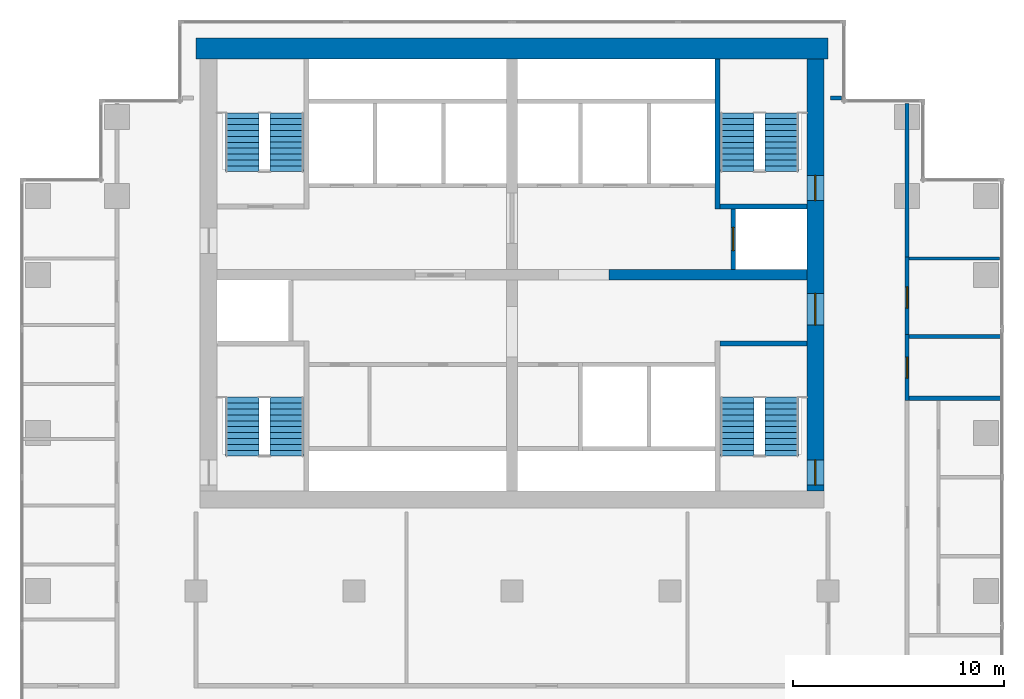
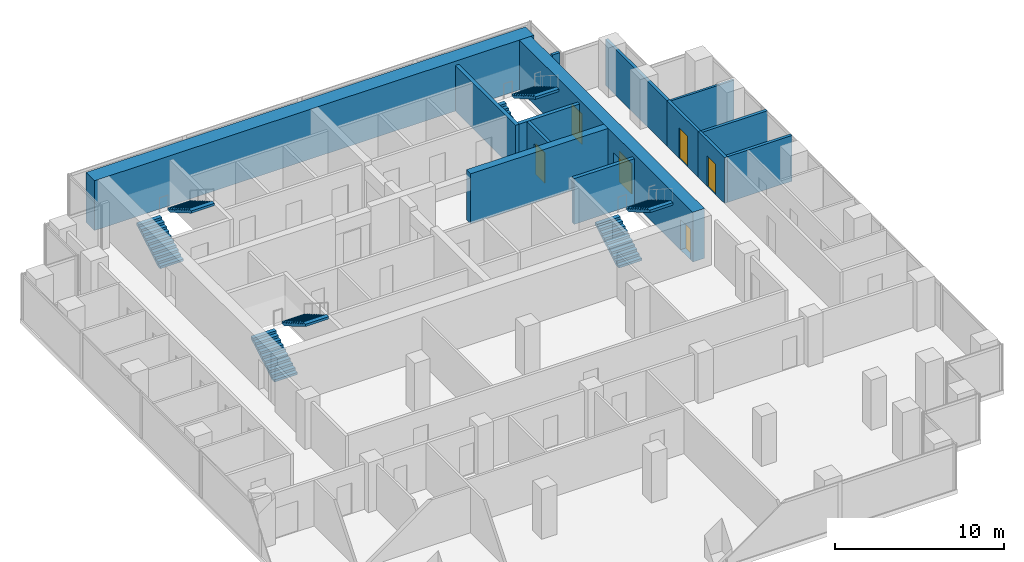
# One storey, part 9 of 10: 14 walls, 8 stair flights, 6 doors, 6 openings, 4 elements without a shape of their own.
"""IFC4 building model written with IfcOpenShell, lengths in metres."""

from ifc_helpers import new_model, si_unit, direction, frame, frame_2d, origin, place, context, subcontext, project, spatial, polyline, rectangle, outline, extrude, material, layer, layer_set, type_object, element, fill, aggregate, save


model = new_model("IFC4")

# Units and contexts
model_context = context("Model", 3, precision=1e-05, world=origin(), true_north=direction((0.0, 1.0)))
body_context = subcontext(model_context, "Body", "Model", "MODEL_VIEW")
ifc_project = project(units=[si_unit("LENGTHUNIT", "METRE"), si_unit("AREAUNIT", "SQUARE_METRE"), si_unit("VOLUMEUNIT", "CUBIC_METRE"), si_unit("PLANEANGLEUNIT", "RADIAN"), si_unit("MASSUNIT", "GRAM", prefix="KILO")], contexts=[model_context])

# Site, building, storey
site_placement = place(None, origin())
site = spatial("IfcSite", under=ifc_project, at=site_placement, CompositionType="ELEMENT")
building_placement = place(site_placement, origin())
building = spatial("IfcBuilding", under=site, at=building_placement, Name="Pilkhan Gate Tower", CompositionType="ELEMENT")
storey_placement = place(building_placement, frame((0.0, 0.0, 147.699951171875)))
storey = spatial("IfcBuildingStorey", under=building, at=storey_placement, Name="L37", CompositionType="ELEMENT", Elevation=147.699951171875)

# Wall
ifc_material_1 = material(Name="Concrete C60/75", Category="concrete")
ifc_layer_1 = layer(ifc_material_1, 1.0)
ifc_layer_set_1 = layer_set([ifc_layer_1], Name="Core wall CW1000 C60/75")
wall_type_1 = type_object("IfcWallType", Name="Core wall CW1000 C60/75", PredefinedType="SHEAR", material=ifc_layer_set_1)
wall_1_placement = place(storey_placement, frame((90.0, 93.25, 0.0), z_axis=(0.0, 0.0, 1.0), x_axis=(-1.0, 0.0, 0.0)))
element("IfcWall", 1, at=wall_1_placement, inside=storey, type_object=wall_type_1, Name="Core wall N L37", PredefinedType="SHEAR", context=body_context, shape_type="SweptSolid", body=[
    extrude(rectangle(XDim=30.0, YDim=1.0, at=frame_2d((15.0, 0.0))), origin(), (0.0, 0.0, 1.0), 3.60009765625),
])

# Wall, openings, doors
ifc_layer_2 = layer(ifc_material_1, 0.800048828125)
ifc_layer_set_2 = layer_set([ifc_layer_2], Name="Core wall CW800 C60/75")
wall_type_2 = type_object("IfcWallType", Name="Core wall CW800 C60/75", PredefinedType="SHEAR", material=ifc_layer_set_2)
wall_2_placement = place(storey_placement, frame((89.39990234375, 72.25, 0.0), z_axis=(0.0, 0.0, 1.0), x_axis=(0.0, 1.0, 0.0)))
wall_2 = element("IfcWall", 2, at=wall_2_placement, inside=storey, type_object=wall_type_2, Name="Core wall E L37", PredefinedType="SHEAR", context=body_context, shape_type="SweptSolid", body=[
    extrude(rectangle(XDim=20.5, YDim=0.800048828125, at=frame_2d((10.25, 0.0))), origin(), (0.0, 0.0, 1.0), 3.60009765625),
])
opening_1_placement = place(wall_2_placement, frame((0.27490234375, 0.0, 0.0)))
opening_1 = element("IfcOpeningElement", 3, at=opening_1_placement, cuts=wall_2, Name="Opening L37-03", PredefinedType="OPENING", context=body_context, shape_type="SweptSolid", body=[
    extrude(rectangle(XDim=1.199951171875, YDim=2.199951171875, at=frame_2d((0.60009765625, 1.10009765625))), frame((0.0, 0.409912109375, 0.0), z_axis=(0.0, -1.0, 0.0), x_axis=(1.0, 0.0, 0.0)), (0.0, 0.0, 1.0), 0.820068359375),
])
opening_2_placement = place(wall_2_placement, frame((13.77490234375, 0.0, 0.0)))
opening_2 = element("IfcOpeningElement", 4, at=opening_2_placement, cuts=wall_2, Name="Opening L37-05", PredefinedType="OPENING", context=body_context, shape_type="SweptSolid", body=[
    extrude(rectangle(XDim=1.199951171875, YDim=2.199951171875, at=frame_2d((0.60009765625, 1.10009765625))), frame((0.0, 0.409912109375, 0.0), z_axis=(0.0, -1.0, 0.0), x_axis=(1.0, 0.0, 0.0)), (0.0, 0.0, 1.0), 0.820068359375),
])
opening_3_placement = place(wall_2_placement, frame((7.875, 0.0, 0.0)))
opening_3 = element("IfcOpeningElement", 5, at=opening_3_placement, cuts=wall_2, Name="Opening L37-12", PredefinedType="OPENING", context=body_context, shape_type="SweptSolid", body=[
    extrude(rectangle(XDim=1.5, YDim=2.199951171875, at=frame_2d((0.75, 1.10009765625))), frame((0.0, 0.409912109375, 0.0), z_axis=(0.0, -1.0, 0.0), x_axis=(1.0, 0.0, 0.0)), (0.0, 0.0, 1.0), 0.820068359375),
])
ifc_material_2 = material(Name="Steel framed glazed door, 60 minute fire resisting", Category="steel")
door_type_1 = type_object("IfcDoorType", Name="Lobby door D09 1500x2200", OperationType="DOUBLE_DOOR_SINGLE_SWING", PredefinedType="DOOR", material=ifc_material_2)
door_1_placement = place(opening_3_placement, origin())
door_1 = element("IfcDoor", 6, at=door_1_placement, inside=storey, type_object=door_type_1, Name="Core door", OperationType="DOUBLE_DOOR_SINGLE_SWING", OverallHeight=2.199951171875, OverallWidth=1.5, PredefinedType="DOOR", context=body_context, shape_type="SweptSolid", body=[
    extrude(rectangle(XDim=1.5, YDim=2.199951171875, at=frame_2d((0.75, 1.10009765625))), frame((0.0, 0.02490234375, 0.0), z_axis=(0.0, -1.0, 0.0), x_axis=(1.0, 0.0, 0.0)), (0.0, 0.0, 1.0), 0.050048828125),
])
fill(opening_3, door_1)
ifc_material_3 = material(Name="Steel door, 120 minute fire resisting, panic bar", Category="steel")
door_type_2 = type_object("IfcDoorType", Name="Stair door D11 1200x2200", OperationType="SINGLE_SWING_LEFT", PredefinedType="DOOR", material=ifc_material_3)
door_2_placement = place(opening_1_placement, origin())
door_2 = element("IfcDoor", 7, at=door_2_placement, inside=storey, type_object=door_type_2, Name="Stair ST1 door", OperationType="SINGLE_SWING_LEFT", OverallHeight=2.199951171875, OverallWidth=1.199951171875, PredefinedType="DOOR", context=body_context, shape_type="SweptSolid", body=[
    extrude(rectangle(XDim=1.199951171875, YDim=2.199951171875, at=frame_2d((0.60009765625, 1.10009765625))), frame((0.0, 0.02490234375, 0.0), z_axis=(0.0, -1.0, 0.0), x_axis=(1.0, 0.0, 0.0)), (0.0, 0.0, 1.0), 0.050048828125),
])
fill(opening_1, door_2)
door_3_placement = place(opening_2_placement, origin())
door_3 = element("IfcDoor", 8, at=door_3_placement, inside=storey, type_object=door_type_2, Name="Stair ST4 door", OperationType="SINGLE_SWING_LEFT", OverallHeight=2.199951171875, OverallWidth=1.199951171875, PredefinedType="DOOR", context=body_context, shape_type="SweptSolid", body=[
    extrude(rectangle(XDim=1.199951171875, YDim=2.199951171875, at=frame_2d((0.60009765625, 1.10009765625))), frame((0.0, 0.02490234375, 0.0), z_axis=(0.0, -1.0, 0.0), x_axis=(1.0, 0.0, 0.0)), (0.0, 0.0, 1.0), 0.050048828125),
])
fill(opening_2, door_3)

# Wall
ifc_material_4 = material(Name="Dense blockwork", Category="masonry")
ifc_layer_3 = layer(ifc_material_4, 0.199951171875)
ifc_layer_set_3 = layer_set([ifc_layer_3], Name="Corridor wall FW200")
wall_type_3 = type_object("IfcWallType", Name="Corridor wall FW200", PredefinedType="PARTITIONING", material=ifc_layer_set_3)
wall_3_placement = place(storey_placement, frame((90.1201171875, 90.89990234375, 0.0), z_axis=(0.0, 0.0, 1.0), x_axis=(1.0, 0.0, 0.0)))
element("IfcWall", 9, at=wall_3_placement, inside=storey, type_object=wall_type_3, Name="Partition L37", PredefinedType="PARTITIONING", context=body_context, shape_type="SweptSolid", body=[
    extrude(rectangle(XDim=0.52490234375, YDim=0.199951171875, at=frame_2d((0.262451171875, 0.0))), origin(), (0.0, 0.0, 1.0), 3.300048828125),
])

# Wall, opening, door
wall_4_placement = place(storey_placement, frame((93.75, 79.580078125, 0.0), z_axis=(0.0, 0.0, 1.0), x_axis=(0.0, 1.0, 0.0)))
wall_4 = element("IfcWall", 10, at=wall_4_placement, inside=storey, type_object=wall_type_3, Name="Partition L37", PredefinedType="PARTITIONING", context=body_context, shape_type="SweptSolid", body=[
    extrude(rectangle(XDim=3.77490234375, YDim=0.199951171875, at=frame_2d((1.887451171875, 0.0))), origin(), (0.0, 0.0, 1.0), 3.300048828125),
])
opening_4_placement = place(wall_4_placement, frame((1.35009765625, 0.0, 0.0)))
opening_4 = element("IfcOpeningElement", 11, at=opening_4_placement, cuts=wall_4, Name="Opening L37-33", PredefinedType="OPENING", context=body_context, shape_type="SweptSolid", body=[
    extrude(rectangle(XDim=1.0, YDim=2.199951171875, at=frame_2d((0.5, 1.10009765625))), frame((0.0, 0.10986328125, 0.0), z_axis=(0.0, -1.0, 0.0), x_axis=(1.0, 0.0, 0.0)), (0.0, 0.0, 1.0), 0.219970703125),
])
ifc_material_5 = material(Name="Timber flush door, 30 minute fire resisting", Category="wood")
door_type_3 = type_object("IfcDoorType", Name="Room door D03 1000x2200", OperationType="SINGLE_SWING_LEFT", PredefinedType="DOOR", material=ifc_material_5)
door_4_placement = place(opening_4_placement, origin())
door_4 = element("IfcDoor", 12, at=door_4_placement, inside=storey, type_object=door_type_3, Name="Room door", OperationType="SINGLE_SWING_RIGHT", OverallHeight=2.199951171875, OverallWidth=1.0, PredefinedType="DOOR", context=body_context, shape_type="SweptSolid", body=[
    extrude(rectangle(XDim=1.0, YDim=2.199951171875, at=frame_2d((0.5, 1.10009765625))), frame((0.0, 0.02490234375, 0.0), z_axis=(0.0, -1.0, 0.0), x_axis=(1.0, 0.0, 0.0)), (0.0, 0.0, 1.0), 0.050048828125),
])
fill(opening_4, door_4)

# Walls
wall_5_placement = place(storey_placement, frame((93.75, 83.31005859375, 0.0), z_axis=(0.0, 0.0, 1.0), x_axis=(0.0, 1.0, 0.0)))
element("IfcWall", 13, at=wall_5_placement, inside=storey, type_object=wall_type_3, Name="Partition L37", PredefinedType="PARTITIONING", context=body_context, shape_type="SweptSolid", body=[
    extrude(rectangle(XDim=7.3349609375, YDim=0.199951171875, at=frame_2d((3.66748046875, 0.0))), origin(), (0.0, 0.0, 1.0), 3.300048828125),
])
ifc_layer_4 = layer(ifc_material_4, 0.199951171875)
ifc_layer_set_4 = layer_set([ifc_layer_4], Name="Lobby wall LW200")
wall_type_4 = type_object("IfcWallType", Name="Lobby wall LW200", PredefinedType="PARTITIONING", material=ifc_layer_set_4)
for number, where, z_axis, x_axis, name in (
    (14, (93.85009765625, 76.64990234375, 0.0), (0.0, 0.0, 1.0), (1.0, 0.0, 0.0), "Partition L37"),
    (15, (93.85009765625, 79.580078125, 0.0), (0.0, 0.0, 1.0), (1.0, 0.0, 0.0), "Partition L37"),
):
    element("IfcWall", number, at=place(storey_placement, frame(where, z_axis=z_axis, x_axis=x_axis)), inside=storey, type_object=wall_type_4, Name=name, PredefinedType="PARTITIONING", context=body_context, shape_type="SweptSolid", body=[
        extrude(rectangle(XDim=4.414794921875, YDim=0.199951171875, at=frame_2d((2.20751953125, 0.0))), origin(), (0.0, 0.0, 1.0), 3.300048828125),
    ])

# Wall, opening, door
wall_6_placement = place(storey_placement, frame((93.75, 76.550048828125, 0.0), z_axis=(0.0, 0.0, 1.0), x_axis=(0.0, 1.0, 0.0)))
wall_6 = element("IfcWall", 16, at=wall_6_placement, inside=storey, type_object=wall_type_4, Name="Partition L37", PredefinedType="PARTITIONING", context=body_context, shape_type="SweptSolid", body=[
    extrude(rectangle(XDim=3.1298828125, YDim=0.199951171875, at=frame_2d((1.56494140625, 0.0))), origin(), (0.0, 0.0, 1.0), 3.300048828125),
])
opening_5_placement = place(wall_6_placement, frame((1.050048828125, 0.0, 0.0)))
opening_5 = element("IfcOpeningElement", 17, at=opening_5_placement, cuts=wall_6, Name="Opening L37-11", PredefinedType="OPENING", context=body_context, shape_type="SweptSolid", body=[
    extrude(rectangle(XDim=1.0, YDim=2.199951171875, at=frame_2d((0.5, 1.10009765625))), frame((0.0, 0.10986328125, 0.0), z_axis=(0.0, -1.0, 0.0), x_axis=(1.0, 0.0, 0.0)), (0.0, 0.0, 1.0), 0.219970703125),
])
door_5_placement = place(opening_5_placement, origin())
door_5 = element("IfcDoor", 18, at=door_5_placement, inside=storey, type_object=door_type_3, Name="Room door", OperationType="SINGLE_SWING_LEFT", OverallHeight=2.199951171875, OverallWidth=1.0, PredefinedType="DOOR", context=body_context, shape_type="SweptSolid", body=[
    extrude(rectangle(XDim=1.0, YDim=2.199951171875, at=frame_2d((0.5, 1.10009765625))), frame((0.0, 0.02490234375, 0.0), z_axis=(0.0, -1.0, 0.0), x_axis=(1.0, 0.0, 0.0)), (0.0, 0.0, 1.0), 0.050048828125),
])
fill(opening_5, door_5)

# Wall
ifc_material_6 = material(Name="Blockwork partition, plastered both sides", Category="masonry")
ifc_layer_5 = layer(ifc_material_6, 0.14990234375)
ifc_layer_set_5 = layer_set([ifc_layer_5], Name="Partition PW150")
wall_type_5 = type_object("IfcWallType", Name="Partition PW150", PredefinedType="PARTITIONING", material=ifc_layer_set_5)
wall_7_placement = place(storey_placement, frame((93.85009765625, 83.280029296875, 0.0), z_axis=(0.0, 0.0, 1.0), x_axis=(1.0, 0.0, 0.0)))
element("IfcWall", 19, at=wall_7_placement, inside=storey, type_object=wall_type_5, Name="Partition L37", PredefinedType="PARTITIONING", context=body_context, shape_type="SweptSolid", body=[
    extrude(rectangle(XDim=4.294921875, YDim=0.14990234375, at=frame_2d((2.1474609375, 0.0))), origin(), (0.0, 0.0, 1.0), 3.300048828125),
])

# Wall, opening, door
ifc_material_7 = material(Name="Reinforced blockwork shaft wall, 120 minute fire resisting", Category="masonry")
ifc_layer_6 = layer(ifc_material_7, 0.199951171875)
ifc_layer_set_6 = layer_set([ifc_layer_6], Name="Shaft wall SW200")
wall_type_6 = type_object("IfcWallType", Name="Shaft wall SW200", PredefinedType="PARTITIONING", material=ifc_layer_set_6)
wall_8_placement = place(storey_placement, frame((85.5, 82.760009765625, 0.0), z_axis=(0.0, 0.0, 1.0), x_axis=(0.0, 1.0, 0.0)))
wall_8 = element("IfcWall", 20, at=wall_8_placement, inside=storey, type_object=wall_type_6, Name="Partition L37", PredefinedType="PARTITIONING", context=body_context, shape_type="SweptSolid", body=[
    extrude(rectangle(XDim=2.864990234375, YDim=0.199951171875, at=frame_2d((1.4326171875, 0.0))), origin(), (0.0, 0.0, 1.0), 3.300048828125),
])
opening_6_placement = place(wall_8_placement, frame((0.89990234375, 0.0, 0.0)))
opening_6 = element("IfcOpeningElement", 21, at=opening_6_placement, cuts=wall_8, Name="Opening LD", PredefinedType="OPENING", context=body_context, shape_type="SweptSolid", body=[
    extrude(rectangle(XDim=1.10009765625, YDim=2.199951171875, at=frame_2d((0.550048828125, 1.10009765625))), frame((0.0, 0.10986328125, 0.0), z_axis=(0.0, -1.0, 0.0), x_axis=(1.0, 0.0, 0.0)), (0.0, 0.0, 1.0), 0.219970703125),
])
ifc_material_8 = material(Name="Stainless steel centre-opening landing door, 120 minute fire resisting", Category="steel")
door_type_4 = type_object("IfcDoorType", Name="Lift landing door LD 1100x2200", OperationType="DOUBLE_DOOR_SLIDING", PredefinedType="DOOR", material=ifc_material_8)
door_6_placement = place(opening_6_placement, origin())
door_6 = element("IfcDoor", 22, at=door_6_placement, inside=storey, type_object=door_type_4, Name="Landing door HR4", OperationType="DOUBLE_DOOR_SLIDING", OverallHeight=2.199951171875, OverallWidth=1.10009765625, PredefinedType="DOOR", context=body_context, shape_type="SweptSolid", body=[
    extrude(rectangle(XDim=1.10009765625, YDim=2.199951171875, at=frame_2d((0.550048828125, 1.10009765625))), frame((0.0, 0.02490234375, 0.0), z_axis=(0.0, -1.0, 0.0), x_axis=(1.0, 0.0, 0.0)), (0.0, 0.0, 1.0), 0.050048828125),
])
fill(opening_6, door_6)

# Walls
ifc_layer_7 = layer(ifc_material_1, 0.5)
ifc_layer_set_7 = layer_set([ifc_layer_7], Name="Spine wall SW500 C60/75")
wall_type_7 = type_object("IfcWallType", Name="Spine wall SW500 C60/75", PredefinedType="SHEAR", material=ifc_layer_set_7)
wall_9_placement = place(storey_placement, frame((79.60009765625, 82.5, 0.0), z_axis=(0.0, 0.0, 1.0), x_axis=(1.0, 0.0, 0.0)))
element("IfcWall", 23, at=wall_9_placement, inside=storey, type_object=wall_type_7, Name="Spine wall SP-EW3 L37", PredefinedType="SHEAR", context=body_context, shape_type="SweptSolid", body=[
    extrude(rectangle(XDim=9.39990234375, YDim=0.5, at=frame_2d((4.699951171875, 0.0))), origin(), (0.0, 0.0, 1.0), 3.60009765625),
])
ifc_material_9 = material(Name="Reinforced blockwork, 120 minute fire resisting", Category="masonry")
ifc_layer_8 = layer(ifc_material_9, 0.25)
ifc_layer_set_8 = layer_set([ifc_layer_8], Name="Stair enclosure wall SE250")
wall_type_8 = type_object("IfcWallType", Name="Stair enclosure wall SE250", PredefinedType="PARTITIONING", material=ifc_layer_set_8)
for number, where, z_axis, x_axis, name in (
    (24, (84.875, 79.25, 0.0), (0.0, 0.0, 1.0), (1.0, 0.0, 0.0), "Partition L37"),
    (25, (84.875, 85.75, 0.0), (0.0, 0.0, 1.0), (1.0, 0.0, 0.0), "Partition L37"),
):
    element("IfcWall", number, at=place(storey_placement, frame(where, z_axis=z_axis, x_axis=x_axis)), inside=storey, type_object=wall_type_8, Name=name, PredefinedType="PARTITIONING", context=body_context, shape_type="SweptSolid", body=[
        extrude(rectangle(XDim=4.125, YDim=0.25, at=frame_2d((2.0625, 0.0))), origin(), (0.0, 0.0, 1.0), 3.300048828125),
    ])
wall_10_placement = place(storey_placement, frame((84.75, 85.625, 0.0), z_axis=(0.0, 0.0, 1.0), x_axis=(0.0, 1.0, 0.0)))
element("IfcWall", 26, at=wall_10_placement, inside=storey, type_object=wall_type_8, Name="Partition L37", PredefinedType="PARTITIONING", context=body_context, shape_type="SweptSolid", body=[
    extrude(rectangle(XDim=7.114990234375, YDim=0.25, at=frame_2d((3.5576171875, 0.0))), origin(), (0.0, 0.0, 1.0), 3.300048828125),
])

# Stair, stair flights
ifc_material_10 = material(Name="Concrete C40/50 precast", Category="concrete")
stair_type_1 = type_object("IfcStairType", Name="Stair ST1 164x280", PredefinedType="HALF_TURN_STAIR", material=ifc_material_10)
stair_1_placement = place(storey_placement, origin())
stair_1 = element("IfcStair", 27, at=stair_1_placement, inside=storey, type_object=stair_type_1, Name="Stair ST1 L37", PredefinedType="HALF_TURN_STAIR")
stair_flight_type_1 = type_object("IfcStairFlightType", Name="Stair flight ST1 164x280x11", PredefinedType="STRAIGHT", material=ifc_material_10)
stair_flight_1_placement = place(storey_placement, frame((85.68994140625, 73.89990234375, 0.0), z_axis=(0.0, 0.0, 1.0), x_axis=(0.0, 1.0, 0.0)))
stair_flight_1 = element("IfcStairFlight", 28, at=stair_flight_1_placement, type_object=stair_flight_type_1, Name="ST1 flight 1", NumberOfRisers=11, NumberOfTreads=10, PredefinedType="STRAIGHT", RiserHeight=0.163636364, TreadLength=0.28, context=body_context, shape_type="SweptSolid", body=[
    extrude(outline(polyline([(0.0, 0.0), (0.0, 0.16357421875), (0.280029296875, 0.16357421875), (0.280029296875, 0.327392578125), (0.56005859375, 0.327392578125), (0.56005859375, 0.490966796875), (0.840087890625, 0.490966796875), (0.840087890625, 0.654541015625), (1.1201171875, 0.654541015625), (1.1201171875, 0.818115234375), (1.39990234375, 0.818115234375), (1.39990234375, 0.98193359375), (1.679931640625, 0.98193359375), (1.679931640625, 1.1455078125), (1.9599609375, 1.1455078125), (1.9599609375, 1.30908203125), (2.239990234375, 1.30908203125), (2.239990234375, 1.47265625), (2.52001953125, 1.47265625), (2.52001953125, 1.636474609375), (2.800048828125, 1.636474609375), (2.800048828125, 1.800048828125), (2.800048828125, 1.462646484375), (0.297119140625, 0.0), (0.0, 0.0)])), frame((0.0, 0.7900390625, 0.0), z_axis=(0.0, -1.0, 0.0), x_axis=(1.0, 0.0, 0.0)), (0.0, 0.0, 1.0), 1.580078125),
])
stair_flight_2_placement = place(storey_placement, frame((87.81005859375, 76.699951171875, 1.800048828125), z_axis=(0.0, 0.0, 1.0), x_axis=(0.0, -1.0, 0.0)))
stair_flight_2 = element("IfcStairFlight", 29, at=stair_flight_2_placement, type_object=stair_flight_type_1, Name="ST1 flight 2", NumberOfRisers=11, NumberOfTreads=10, PredefinedType="STRAIGHT", RiserHeight=0.163636364, TreadLength=0.28, context=body_context, shape_type="SweptSolid", body=[
    extrude(outline(polyline([(0.0, 0.0), (0.0, 0.16357421875), (0.280029296875, 0.16357421875), (0.280029296875, 0.327392578125), (0.56005859375, 0.327392578125), (0.56005859375, 0.490966796875), (0.840087890625, 0.490966796875), (0.840087890625, 0.654541015625), (1.1201171875, 0.654541015625), (1.1201171875, 0.818115234375), (1.39990234375, 0.818115234375), (1.39990234375, 0.98193359375), (1.679931640625, 0.98193359375), (1.679931640625, 1.1455078125), (1.9599609375, 1.1455078125), (1.9599609375, 1.30908203125), (2.239990234375, 1.30908203125), (2.239990234375, 1.47265625), (2.52001953125, 1.47265625), (2.52001953125, 1.636474609375), (2.800048828125, 1.636474609375), (2.800048828125, 1.800048828125), (2.800048828125, 1.462646484375), (0.297119140625, 0.0), (0.0, 0.0)])), frame((0.0, 0.7900390625, 0.0), z_axis=(0.0, -1.0, 0.0), x_axis=(1.0, 0.0, 0.0)), (0.0, 0.0, 1.0), 1.580078125),
])
aggregate(stair_1, [stair_flight_1, stair_flight_2])

stair_type_2 = type_object("IfcStairType", Name="Stair ST2 164x280", PredefinedType="HALF_TURN_STAIR", material=ifc_material_10)
stair_2_placement = place(storey_placement, origin())
stair_2 = element("IfcStair", 30, at=stair_2_placement, inside=storey, type_object=stair_type_2, Name="Stair ST2 L37", PredefinedType="HALF_TURN_STAIR")
stair_flight_type_2 = type_object("IfcStairFlightType", Name="Stair flight ST2 164x280x11", PredefinedType="STRAIGHT", material=ifc_material_10)
stair_flight_3_placement = place(storey_placement, frame((62.18994140625, 73.89990234375, 0.0), z_axis=(0.0, 0.0, 1.0), x_axis=(0.0, 1.0, 0.0)))
stair_flight_3 = element("IfcStairFlight", 31, at=stair_flight_3_placement, type_object=stair_flight_type_2, Name="ST2 flight 1", NumberOfRisers=11, NumberOfTreads=10, PredefinedType="STRAIGHT", RiserHeight=0.163636364, TreadLength=0.28, context=body_context, shape_type="SweptSolid", body=[
    extrude(outline(polyline([(0.0, 0.0), (0.0, 0.16357421875), (0.280029296875, 0.16357421875), (0.280029296875, 0.327392578125), (0.56005859375, 0.327392578125), (0.56005859375, 0.490966796875), (0.840087890625, 0.490966796875), (0.840087890625, 0.654541015625), (1.1201171875, 0.654541015625), (1.1201171875, 0.818115234375), (1.39990234375, 0.818115234375), (1.39990234375, 0.98193359375), (1.679931640625, 0.98193359375), (1.679931640625, 1.1455078125), (1.9599609375, 1.1455078125), (1.9599609375, 1.30908203125), (2.239990234375, 1.30908203125), (2.239990234375, 1.47265625), (2.52001953125, 1.47265625), (2.52001953125, 1.636474609375), (2.800048828125, 1.636474609375), (2.800048828125, 1.800048828125), (2.800048828125, 1.462646484375), (0.297119140625, 0.0), (0.0, 0.0)])), frame((0.0, 0.7900390625, 0.0), z_axis=(0.0, -1.0, 0.0), x_axis=(1.0, 0.0, 0.0)), (0.0, 0.0, 1.0), 1.580078125),
])
stair_flight_4_placement = place(storey_placement, frame((64.31005859375, 76.699951171875, 1.800048828125), z_axis=(0.0, 0.0, 1.0), x_axis=(0.0, -1.0, 0.0)))
stair_flight_4 = element("IfcStairFlight", 32, at=stair_flight_4_placement, type_object=stair_flight_type_2, Name="ST2 flight 2", NumberOfRisers=11, NumberOfTreads=10, PredefinedType="STRAIGHT", RiserHeight=0.163636364, TreadLength=0.28, context=body_context, shape_type="SweptSolid", body=[
    extrude(outline(polyline([(0.0, 0.0), (0.0, 0.16357421875), (0.280029296875, 0.16357421875), (0.280029296875, 0.327392578125), (0.56005859375, 0.327392578125), (0.56005859375, 0.490966796875), (0.840087890625, 0.490966796875), (0.840087890625, 0.654541015625), (1.1201171875, 0.654541015625), (1.1201171875, 0.818115234375), (1.39990234375, 0.818115234375), (1.39990234375, 0.98193359375), (1.679931640625, 0.98193359375), (1.679931640625, 1.1455078125), (1.9599609375, 1.1455078125), (1.9599609375, 1.30908203125), (2.239990234375, 1.30908203125), (2.239990234375, 1.47265625), (2.52001953125, 1.47265625), (2.52001953125, 1.636474609375), (2.800048828125, 1.636474609375), (2.800048828125, 1.800048828125), (2.800048828125, 1.462646484375), (0.297119140625, 0.0), (0.0, 0.0)])), frame((0.0, 0.7900390625, 0.0), z_axis=(0.0, -1.0, 0.0), x_axis=(1.0, 0.0, 0.0)), (0.0, 0.0, 1.0), 1.580078125),
])
aggregate(stair_2, [stair_flight_3, stair_flight_4])

stair_type_3 = type_object("IfcStairType", Name="Stair ST3 164x280", PredefinedType="HALF_TURN_STAIR", material=ifc_material_10)
stair_3_placement = place(storey_placement, origin())
stair_3 = element("IfcStair", 33, at=stair_3_placement, inside=storey, type_object=stair_type_3, Name="Stair ST3 L37", PredefinedType="HALF_TURN_STAIR")
stair_flight_type_3 = type_object("IfcStairFlightType", Name="Stair flight ST3 164x280x11", PredefinedType="STRAIGHT", material=ifc_material_10)
stair_flight_5_placement = place(storey_placement, frame((62.18994140625, 87.39990234375, 0.0), z_axis=(0.0, 0.0, 1.0), x_axis=(0.0, 1.0, 0.0)))
stair_flight_5 = element("IfcStairFlight", 34, at=stair_flight_5_placement, type_object=stair_flight_type_3, Name="ST3 flight 1", NumberOfRisers=11, NumberOfTreads=10, PredefinedType="STRAIGHT", RiserHeight=0.163636364, TreadLength=0.28, context=body_context, shape_type="SweptSolid", body=[
    extrude(outline(polyline([(0.0, 0.0), (0.0, 0.16357421875), (0.280029296875, 0.16357421875), (0.280029296875, 0.327392578125), (0.56005859375, 0.327392578125), (0.56005859375, 0.490966796875), (0.840087890625, 0.490966796875), (0.840087890625, 0.654541015625), (1.1201171875, 0.654541015625), (1.1201171875, 0.818115234375), (1.39990234375, 0.818115234375), (1.39990234375, 0.98193359375), (1.679931640625, 0.98193359375), (1.679931640625, 1.1455078125), (1.9599609375, 1.1455078125), (1.9599609375, 1.30908203125), (2.239990234375, 1.30908203125), (2.239990234375, 1.47265625), (2.52001953125, 1.47265625), (2.52001953125, 1.636474609375), (2.800048828125, 1.636474609375), (2.800048828125, 1.800048828125), (2.800048828125, 1.462646484375), (0.297119140625, 0.0), (0.0, 0.0)])), frame((0.0, 0.7900390625, 0.0), z_axis=(0.0, -1.0, 0.0), x_axis=(1.0, 0.0, 0.0)), (0.0, 0.0, 1.0), 1.580078125),
])
stair_flight_6_placement = place(storey_placement, frame((64.31005859375, 90.199951171875, 1.800048828125), z_axis=(0.0, 0.0, 1.0), x_axis=(0.0, -1.0, 0.0)))
stair_flight_6 = element("IfcStairFlight", 35, at=stair_flight_6_placement, type_object=stair_flight_type_3, Name="ST3 flight 2", NumberOfRisers=11, NumberOfTreads=10, PredefinedType="STRAIGHT", RiserHeight=0.163636364, TreadLength=0.28, context=body_context, shape_type="SweptSolid", body=[
    extrude(outline(polyline([(0.0, 0.0), (0.0, 0.16357421875), (0.280029296875, 0.16357421875), (0.280029296875, 0.327392578125), (0.56005859375, 0.327392578125), (0.56005859375, 0.490966796875), (0.840087890625, 0.490966796875), (0.840087890625, 0.654541015625), (1.1201171875, 0.654541015625), (1.1201171875, 0.818115234375), (1.39990234375, 0.818115234375), (1.39990234375, 0.98193359375), (1.679931640625, 0.98193359375), (1.679931640625, 1.1455078125), (1.9599609375, 1.1455078125), (1.9599609375, 1.30908203125), (2.239990234375, 1.30908203125), (2.239990234375, 1.47265625), (2.52001953125, 1.47265625), (2.52001953125, 1.636474609375), (2.800048828125, 1.636474609375), (2.800048828125, 1.800048828125), (2.800048828125, 1.462646484375), (0.297119140625, 0.0), (0.0, 0.0)])), frame((0.0, 0.7900390625, 0.0), z_axis=(0.0, -1.0, 0.0), x_axis=(1.0, 0.0, 0.0)), (0.0, 0.0, 1.0), 1.580078125),
])
aggregate(stair_3, [stair_flight_5, stair_flight_6])

stair_type_4 = type_object("IfcStairType", Name="Stair ST4 164x280", PredefinedType="HALF_TURN_STAIR", material=ifc_material_10)
stair_4_placement = place(storey_placement, origin())
stair_4 = element("IfcStair", 36, at=stair_4_placement, inside=storey, type_object=stair_type_4, Name="Stair ST4 L37", PredefinedType="HALF_TURN_STAIR")
stair_flight_type_4 = type_object("IfcStairFlightType", Name="Stair flight ST4 164x280x11", PredefinedType="STRAIGHT", material=ifc_material_10)
stair_flight_7_placement = place(storey_placement, frame((85.68994140625, 87.39990234375, 0.0), z_axis=(0.0, 0.0, 1.0), x_axis=(0.0, 1.0, 0.0)))
stair_flight_7 = element("IfcStairFlight", 37, at=stair_flight_7_placement, type_object=stair_flight_type_4, Name="ST4 flight 1", NumberOfRisers=11, NumberOfTreads=10, PredefinedType="STRAIGHT", RiserHeight=0.163636364, TreadLength=0.28, context=body_context, shape_type="SweptSolid", body=[
    extrude(outline(polyline([(0.0, 0.0), (0.0, 0.16357421875), (0.280029296875, 0.16357421875), (0.280029296875, 0.327392578125), (0.56005859375, 0.327392578125), (0.56005859375, 0.490966796875), (0.840087890625, 0.490966796875), (0.840087890625, 0.654541015625), (1.1201171875, 0.654541015625), (1.1201171875, 0.818115234375), (1.39990234375, 0.818115234375), (1.39990234375, 0.98193359375), (1.679931640625, 0.98193359375), (1.679931640625, 1.1455078125), (1.9599609375, 1.1455078125), (1.9599609375, 1.30908203125), (2.239990234375, 1.30908203125), (2.239990234375, 1.47265625), (2.52001953125, 1.47265625), (2.52001953125, 1.636474609375), (2.800048828125, 1.636474609375), (2.800048828125, 1.800048828125), (2.800048828125, 1.462646484375), (0.297119140625, 0.0), (0.0, 0.0)])), frame((0.0, 0.7900390625, 0.0), z_axis=(0.0, -1.0, 0.0), x_axis=(1.0, 0.0, 0.0)), (0.0, 0.0, 1.0), 1.580078125),
])
stair_flight_8_placement = place(storey_placement, frame((87.81005859375, 90.199951171875, 1.800048828125), z_axis=(0.0, 0.0, 1.0), x_axis=(0.0, -1.0, 0.0)))
stair_flight_8 = element("IfcStairFlight", 38, at=stair_flight_8_placement, type_object=stair_flight_type_4, Name="ST4 flight 2", NumberOfRisers=11, NumberOfTreads=10, PredefinedType="STRAIGHT", RiserHeight=0.163636364, TreadLength=0.28, context=body_context, shape_type="SweptSolid", body=[
    extrude(outline(polyline([(0.0, 0.0), (0.0, 0.16357421875), (0.280029296875, 0.16357421875), (0.280029296875, 0.327392578125), (0.56005859375, 0.327392578125), (0.56005859375, 0.490966796875), (0.840087890625, 0.490966796875), (0.840087890625, 0.654541015625), (1.1201171875, 0.654541015625), (1.1201171875, 0.818115234375), (1.39990234375, 0.818115234375), (1.39990234375, 0.98193359375), (1.679931640625, 0.98193359375), (1.679931640625, 1.1455078125), (1.9599609375, 1.1455078125), (1.9599609375, 1.30908203125), (2.239990234375, 1.30908203125), (2.239990234375, 1.47265625), (2.52001953125, 1.47265625), (2.52001953125, 1.636474609375), (2.800048828125, 1.636474609375), (2.800048828125, 1.800048828125), (2.800048828125, 1.462646484375), (0.297119140625, 0.0), (0.0, 0.0)])), frame((0.0, 0.7900390625, 0.0), z_axis=(0.0, -1.0, 0.0), x_axis=(1.0, 0.0, 0.0)), (0.0, 0.0, 1.0), 1.580078125),
])
aggregate(stair_4, [stair_flight_7, stair_flight_8])

save(model, "model.ifc")
